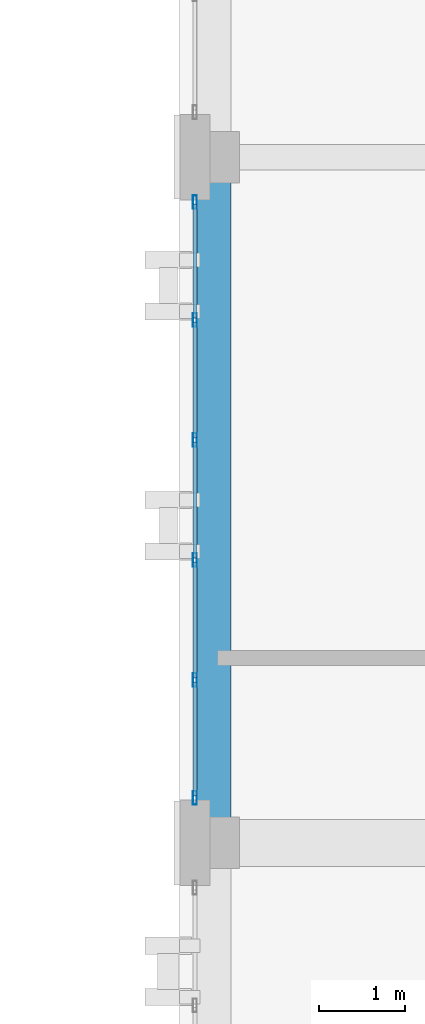
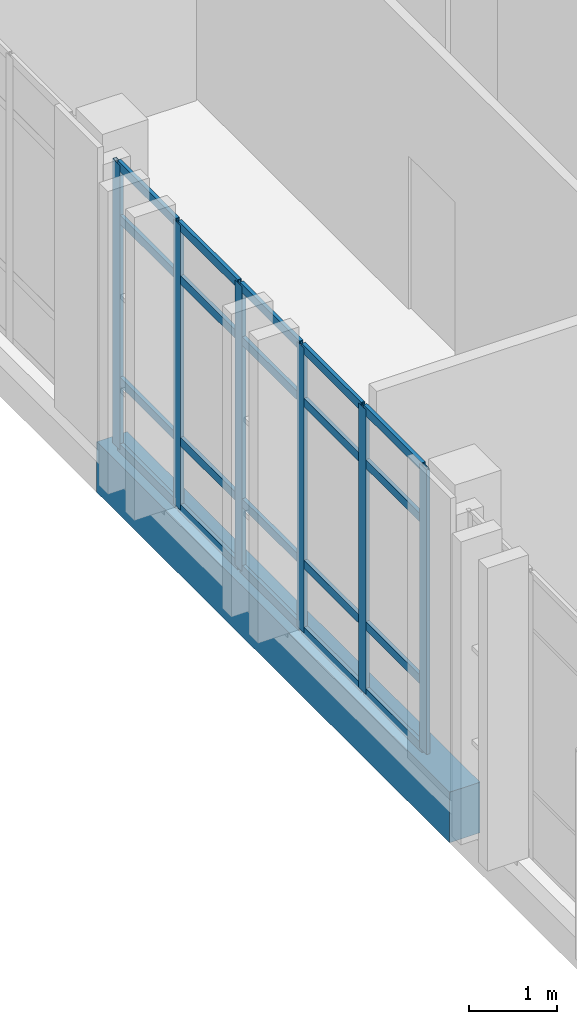
# One storey, part 22 of 48: 26 members, 1 beam, 1 element without a shape of its own.
"""IFC4 building model written with IfcOpenShell, lengths in metres."""

from ifc_helpers import new_model, si_unit, direction, frame, origin, origin_2d, place, context, subcontext, project, spatial, rectangle, hollow_rectangle, extrude, material, layer, layer_set, material_profile, profile_set, type_object, element, aggregate, save


model = new_model("IFC4")

# Units and contexts
model_context = context("Model", 3, precision=1e-05, world=origin(), true_north=direction((0.0, 1.0)))
body_context = subcontext(model_context, "Body", "Model", "MODEL_VIEW")
ifc_project = project(units=[si_unit("LENGTHUNIT", "METRE"), si_unit("AREAUNIT", "SQUARE_METRE"), si_unit("VOLUMEUNIT", "CUBIC_METRE"), si_unit("PLANEANGLEUNIT", "RADIAN"), si_unit("MASSUNIT", "GRAM", prefix="KILO")], contexts=[model_context])

# Site, building, storey
site_placement = place(None, origin())
site = spatial("IfcSite", under=ifc_project, at=site_placement, CompositionType="ELEMENT")
building_placement = place(site_placement, origin())
building = spatial("IfcBuilding", under=site, at=building_placement, Name="Qalavern Law Courts", CompositionType="ELEMENT")
storey_placement = place(building_placement, frame((0.0, 0.0, 31.199951171875)))
storey = spatial("IfcBuildingStorey", under=building, at=storey_placement, Name="L07", CompositionType="ELEMENT", Elevation=31.199951171875)

# Curtain wall, members
ifc_material_1 = material(Name="Anodised aluminium and insulated glazing", Category="aluminium")
ifc_layer = layer(ifc_material_1, 0.159912109375)
ifc_layer_set = layer_set([ifc_layer], Name="Anodised aluminium and insulated glazing")
curtain_wall_type = type_object("IfcCurtainWallType", Name="ENV-CW-CHAMB", PredefinedType="USERDEFINED", material=ifc_layer_set)
curtain_wall_placement = place(storey_placement, origin())
curtain_wall = element("IfcCurtainWall", 1, at=curtain_wall_placement, inside=storey, type_object=curtain_wall_type, Name="V4 unitised curtain wall L07 west 3", ObjectType="UNITISED CURTAIN WALL", PredefinedType="USERDEFINED")
ifc_material_2 = material(Name="Anodised aluminium", Category="aluminium")
ifc_material_profile_1 = material_profile(ifc_material_2, hollow_rectangle(XDim=0.048095703125, YDim=0.159912109375, WallThickness=0.00390625, at=origin_2d()), Name="ALU MULLION 48x160")
ifc_profile_set_1 = profile_set([ifc_material_profile_1], Name="Anodised aluminium")
member_type_1 = type_object("IfcMemberType", Name="ENV-CWM-48x160", PredefinedType="MULLION", material=ifc_profile_set_1)
member_1_placement = place(storey_placement, frame((84.37744140625, 56.8759765625, 0.0), z_axis=(0.0, 0.0, 1.0), x_axis=(1.0, 0.0, 0.0)))
member_1 = element("IfcMember", 2, at=member_1_placement, type_object=member_type_1, Name="CW-04 mullion 1", PredefinedType="MULLION", context=body_context, shape_type="SweptSolid", body=[
    extrude(hollow_rectangle(XDim=0.048095703125, YDim=0.159912109375, WallThickness=0.00390625, at=origin_2d()), origin(), (0.0, 0.0, 1.0), 3.93994140625),
])
member_2_placement = place(storey_placement, frame((84.37744140625, 55.5, 0.0), z_axis=(0.0, 0.0, 1.0), x_axis=(1.0, 0.0, 0.0)))
member_2 = element("IfcMember", 3, at=member_2_placement, type_object=member_type_1, Name="CW-04 mullion 2", PredefinedType="MULLION", context=body_context, shape_type="SweptSolid", body=[
    extrude(hollow_rectangle(XDim=0.048095703125, YDim=0.159912109375, WallThickness=0.00390625, at=origin_2d()), origin(), (0.0, 0.0, 1.0), 3.93994140625),
])
member_3_placement = place(storey_placement, frame((84.37744140625, 54.10009765625, 0.0), z_axis=(0.0, 0.0, 1.0), x_axis=(1.0, 0.0, 0.0)))
member_3 = element("IfcMember", 4, at=member_3_placement, type_object=member_type_1, Name="CW-04 mullion 3", PredefinedType="MULLION", context=body_context, shape_type="SweptSolid", body=[
    extrude(hollow_rectangle(XDim=0.048095703125, YDim=0.159912109375, WallThickness=0.00390625, at=origin_2d()), origin(), (0.0, 0.0, 1.0), 3.93994140625),
])
member_4_placement = place(storey_placement, frame((84.37744140625, 52.699951171875, 0.0), z_axis=(0.0, 0.0, 1.0), x_axis=(1.0, 0.0, 0.0)))
member_4 = element("IfcMember", 5, at=member_4_placement, type_object=member_type_1, Name="CW-04 mullion 4", PredefinedType="MULLION", context=body_context, shape_type="SweptSolid", body=[
    extrude(hollow_rectangle(XDim=0.048095703125, YDim=0.159912109375, WallThickness=0.00390625, at=origin_2d()), origin(), (0.0, 0.0, 1.0), 3.93994140625),
])
member_5_placement = place(storey_placement, frame((84.37744140625, 51.300048828125, 0.0), z_axis=(0.0, 0.0, 1.0), x_axis=(1.0, 0.0, 0.0)))
member_5 = element("IfcMember", 6, at=member_5_placement, type_object=member_type_1, Name="CW-04 mullion 5", PredefinedType="MULLION", context=body_context, shape_type="SweptSolid", body=[
    extrude(hollow_rectangle(XDim=0.048095703125, YDim=0.159912109375, WallThickness=0.00390625, at=origin_2d()), origin(), (0.0, 0.0, 1.0), 3.93994140625),
])
member_6_placement = place(storey_placement, frame((84.37744140625, 49.924072265625, 0.0), z_axis=(0.0, 0.0, 1.0), x_axis=(1.0, 0.0, 0.0)))
member_6 = element("IfcMember", 7, at=member_6_placement, type_object=member_type_1, Name="CW-04 mullion 6", PredefinedType="MULLION", context=body_context, shape_type="SweptSolid", body=[
    extrude(hollow_rectangle(XDim=0.048095703125, YDim=0.159912109375, WallThickness=0.00390625, at=origin_2d()), origin(), (0.0, 0.0, 1.0), 3.93994140625),
])
ifc_material_profile_2 = material_profile(ifc_material_2, hollow_rectangle(XDim=0.048095703125, YDim=0.1201171875, WallThickness=0.00390625, at=origin_2d()), Name="ALU TRANSOM 48x120")
ifc_profile_set_2 = profile_set([ifc_material_profile_2], Name="Anodised aluminium")
member_type_2 = type_object("IfcMemberType", Name="ENV-CWT-48x120", PredefinedType="USERDEFINED", material=ifc_profile_set_2)
member_7_placement = place(storey_placement, frame((84.37744140625, 56.85205078125, 0.024169921875), z_axis=(0.0, -1.0, 0.0), x_axis=(1.0, 0.0, 0.0)))
member_7 = element("IfcMember", 8, at=member_7_placement, type_object=member_type_2, Name="CW-04 transom 1.1", ObjectType="TRANSOM", PredefinedType="USERDEFINED", context=body_context, shape_type="SweptSolid", body=[
    extrude(hollow_rectangle(XDim=0.048095703125, YDim=0.1201171875, WallThickness=0.00390625, at=origin_2d()), origin(), (0.0, 0.0, 1.0), 1.328125),
])
member_8_placement = place(storey_placement, frame((84.37744140625, 56.85205078125, 0.949951171875), z_axis=(0.0, -1.0, 0.0), x_axis=(1.0, 0.0, 0.0)))
member_8 = element("IfcMember", 9, at=member_8_placement, type_object=member_type_2, Name="CW-04 transom 1.2", ObjectType="TRANSOM", PredefinedType="USERDEFINED", context=body_context, shape_type="SweptSolid", body=[
    extrude(hollow_rectangle(XDim=0.048095703125, YDim=0.1201171875, WallThickness=0.00390625, at=origin_2d()), origin(), (0.0, 0.0, 1.0), 1.328125),
])
member_9_placement = place(storey_placement, frame((84.37744140625, 56.85205078125, 3.18994140625), z_axis=(0.0, -1.0, 0.0), x_axis=(1.0, 0.0, 0.0)))
member_9 = element("IfcMember", 10, at=member_9_placement, type_object=member_type_2, Name="CW-04 transom 1.3", ObjectType="TRANSOM", PredefinedType="USERDEFINED", context=body_context, shape_type="SweptSolid", body=[
    extrude(hollow_rectangle(XDim=0.048095703125, YDim=0.1201171875, WallThickness=0.00390625, at=origin_2d()), origin(), (0.0, 0.0, 1.0), 1.328125),
])
member_10_placement = place(storey_placement, frame((84.37744140625, 56.85205078125, 3.916015625), z_axis=(0.0, -1.0, 0.0), x_axis=(1.0, 0.0, 0.0)))
member_10 = element("IfcMember", 11, at=member_10_placement, type_object=member_type_2, Name="CW-04 transom 1.4", ObjectType="TRANSOM", PredefinedType="USERDEFINED", context=body_context, shape_type="SweptSolid", body=[
    extrude(hollow_rectangle(XDim=0.048095703125, YDim=0.1201171875, WallThickness=0.00390625, at=origin_2d()), origin(), (0.0, 0.0, 1.0), 1.328125),
])
member_11_placement = place(storey_placement, frame((84.37744140625, 55.47607421875, 0.024169921875), z_axis=(0.0, -1.0, 0.0), x_axis=(1.0, 0.0, 0.0)))
member_11 = element("IfcMember", 12, at=member_11_placement, type_object=member_type_2, Name="CW-04 transom 2.1", ObjectType="TRANSOM", PredefinedType="USERDEFINED", context=body_context, shape_type="SweptSolid", body=[
    extrude(hollow_rectangle(XDim=0.048095703125, YDim=0.1201171875, WallThickness=0.00390625, at=origin_2d()), origin(), (0.0, 0.0, 1.0), 1.35205078125),
])
member_12_placement = place(storey_placement, frame((84.37744140625, 55.47607421875, 0.949951171875), z_axis=(0.0, -1.0, 0.0), x_axis=(1.0, 0.0, 0.0)))
member_12 = element("IfcMember", 13, at=member_12_placement, type_object=member_type_2, Name="CW-04 transom 2.2", ObjectType="TRANSOM", PredefinedType="USERDEFINED", context=body_context, shape_type="SweptSolid", body=[
    extrude(hollow_rectangle(XDim=0.048095703125, YDim=0.1201171875, WallThickness=0.00390625, at=origin_2d()), origin(), (0.0, 0.0, 1.0), 1.35205078125),
])
member_13_placement = place(storey_placement, frame((84.37744140625, 55.47607421875, 3.18994140625), z_axis=(0.0, -1.0, 0.0), x_axis=(1.0, 0.0, 0.0)))
member_13 = element("IfcMember", 14, at=member_13_placement, type_object=member_type_2, Name="CW-04 transom 2.3", ObjectType="TRANSOM", PredefinedType="USERDEFINED", context=body_context, shape_type="SweptSolid", body=[
    extrude(hollow_rectangle(XDim=0.048095703125, YDim=0.1201171875, WallThickness=0.00390625, at=origin_2d()), origin(), (0.0, 0.0, 1.0), 1.35205078125),
])
member_14_placement = place(storey_placement, frame((84.37744140625, 55.47607421875, 3.916015625), z_axis=(0.0, -1.0, 0.0), x_axis=(1.0, 0.0, 0.0)))
member_14 = element("IfcMember", 15, at=member_14_placement, type_object=member_type_2, Name="CW-04 transom 2.4", ObjectType="TRANSOM", PredefinedType="USERDEFINED", context=body_context, shape_type="SweptSolid", body=[
    extrude(hollow_rectangle(XDim=0.048095703125, YDim=0.1201171875, WallThickness=0.00390625, at=origin_2d()), origin(), (0.0, 0.0, 1.0), 1.35205078125),
])
member_15_placement = place(storey_placement, frame((84.37744140625, 54.075927734375, 0.024169921875), z_axis=(0.0, -1.0, 0.0), x_axis=(1.0, 0.0, 0.0)))
member_15 = element("IfcMember", 16, at=member_15_placement, type_object=member_type_2, Name="CW-04 transom 3.1", ObjectType="TRANSOM", PredefinedType="USERDEFINED", context=body_context, shape_type="SweptSolid", body=[
    extrude(hollow_rectangle(XDim=0.048095703125, YDim=0.1201171875, WallThickness=0.00390625, at=origin_2d()), origin(), (0.0, 0.0, 1.0), 1.351806640625),
])
member_16_placement = place(storey_placement, frame((84.37744140625, 54.075927734375, 0.949951171875), z_axis=(0.0, -1.0, 0.0), x_axis=(1.0, 0.0, 0.0)))
member_16 = element("IfcMember", 17, at=member_16_placement, type_object=member_type_2, Name="CW-04 transom 3.2", ObjectType="TRANSOM", PredefinedType="USERDEFINED", context=body_context, shape_type="SweptSolid", body=[
    extrude(hollow_rectangle(XDim=0.048095703125, YDim=0.1201171875, WallThickness=0.00390625, at=origin_2d()), origin(), (0.0, 0.0, 1.0), 1.351806640625),
])
member_17_placement = place(storey_placement, frame((84.37744140625, 54.075927734375, 3.18994140625), z_axis=(0.0, -1.0, 0.0), x_axis=(1.0, 0.0, 0.0)))
member_17 = element("IfcMember", 18, at=member_17_placement, type_object=member_type_2, Name="CW-04 transom 3.3", ObjectType="TRANSOM", PredefinedType="USERDEFINED", context=body_context, shape_type="SweptSolid", body=[
    extrude(hollow_rectangle(XDim=0.048095703125, YDim=0.1201171875, WallThickness=0.00390625, at=origin_2d()), origin(), (0.0, 0.0, 1.0), 1.351806640625),
])
member_18_placement = place(storey_placement, frame((84.37744140625, 54.075927734375, 3.916015625), z_axis=(0.0, -1.0, 0.0), x_axis=(1.0, 0.0, 0.0)))
member_18 = element("IfcMember", 19, at=member_18_placement, type_object=member_type_2, Name="CW-04 transom 3.4", ObjectType="TRANSOM", PredefinedType="USERDEFINED", context=body_context, shape_type="SweptSolid", body=[
    extrude(hollow_rectangle(XDim=0.048095703125, YDim=0.1201171875, WallThickness=0.00390625, at=origin_2d()), origin(), (0.0, 0.0, 1.0), 1.351806640625),
])
member_19_placement = place(storey_placement, frame((84.37744140625, 52.676025390625, 0.024169921875), z_axis=(0.0, -1.0, 0.0), x_axis=(1.0, 0.0, 0.0)))
member_19 = element("IfcMember", 20, at=member_19_placement, type_object=member_type_2, Name="CW-04 transom 4.1", ObjectType="TRANSOM", PredefinedType="USERDEFINED", context=body_context, shape_type="SweptSolid", body=[
    extrude(hollow_rectangle(XDim=0.048095703125, YDim=0.1201171875, WallThickness=0.00390625, at=origin_2d()), origin(), (0.0, 0.0, 1.0), 1.35205078125),
])
member_20_placement = place(storey_placement, frame((84.37744140625, 52.676025390625, 0.949951171875), z_axis=(0.0, -1.0, 0.0), x_axis=(1.0, 0.0, 0.0)))
member_20 = element("IfcMember", 21, at=member_20_placement, type_object=member_type_2, Name="CW-04 transom 4.2", ObjectType="TRANSOM", PredefinedType="USERDEFINED", context=body_context, shape_type="SweptSolid", body=[
    extrude(hollow_rectangle(XDim=0.048095703125, YDim=0.1201171875, WallThickness=0.00390625, at=origin_2d()), origin(), (0.0, 0.0, 1.0), 1.35205078125),
])
member_21_placement = place(storey_placement, frame((84.37744140625, 52.676025390625, 3.18994140625), z_axis=(0.0, -1.0, 0.0), x_axis=(1.0, 0.0, 0.0)))
member_21 = element("IfcMember", 22, at=member_21_placement, type_object=member_type_2, Name="CW-04 transom 4.3", ObjectType="TRANSOM", PredefinedType="USERDEFINED", context=body_context, shape_type="SweptSolid", body=[
    extrude(hollow_rectangle(XDim=0.048095703125, YDim=0.1201171875, WallThickness=0.00390625, at=origin_2d()), origin(), (0.0, 0.0, 1.0), 1.35205078125),
])
member_22_placement = place(storey_placement, frame((84.37744140625, 52.676025390625, 3.916015625), z_axis=(0.0, -1.0, 0.0), x_axis=(1.0, 0.0, 0.0)))
member_22 = element("IfcMember", 23, at=member_22_placement, type_object=member_type_2, Name="CW-04 transom 4.4", ObjectType="TRANSOM", PredefinedType="USERDEFINED", context=body_context, shape_type="SweptSolid", body=[
    extrude(hollow_rectangle(XDim=0.048095703125, YDim=0.1201171875, WallThickness=0.00390625, at=origin_2d()), origin(), (0.0, 0.0, 1.0), 1.35205078125),
])
member_23_placement = place(storey_placement, frame((84.37744140625, 51.27587890625, 0.024169921875), z_axis=(0.0, -1.0, 0.0), x_axis=(1.0, 0.0, 0.0)))
member_23 = element("IfcMember", 24, at=member_23_placement, type_object=member_type_2, Name="CW-04 transom 5.1", ObjectType="TRANSOM", PredefinedType="USERDEFINED", context=body_context, shape_type="SweptSolid", body=[
    extrude(hollow_rectangle(XDim=0.048095703125, YDim=0.1201171875, WallThickness=0.00390625, at=origin_2d()), origin(), (0.0, 0.0, 1.0), 1.327880859375),
])
member_24_placement = place(storey_placement, frame((84.37744140625, 51.27587890625, 0.949951171875), z_axis=(0.0, -1.0, 0.0), x_axis=(1.0, 0.0, 0.0)))
member_24 = element("IfcMember", 25, at=member_24_placement, type_object=member_type_2, Name="CW-04 transom 5.2", ObjectType="TRANSOM", PredefinedType="USERDEFINED", context=body_context, shape_type="SweptSolid", body=[
    extrude(hollow_rectangle(XDim=0.048095703125, YDim=0.1201171875, WallThickness=0.00390625, at=origin_2d()), origin(), (0.0, 0.0, 1.0), 1.327880859375),
])
member_25_placement = place(storey_placement, frame((84.37744140625, 51.27587890625, 3.18994140625), z_axis=(0.0, -1.0, 0.0), x_axis=(1.0, 0.0, 0.0)))
member_25 = element("IfcMember", 26, at=member_25_placement, type_object=member_type_2, Name="CW-04 transom 5.3", ObjectType="TRANSOM", PredefinedType="USERDEFINED", context=body_context, shape_type="SweptSolid", body=[
    extrude(hollow_rectangle(XDim=0.048095703125, YDim=0.1201171875, WallThickness=0.00390625, at=origin_2d()), origin(), (0.0, 0.0, 1.0), 1.327880859375),
])
member_26_placement = place(storey_placement, frame((84.37744140625, 51.27587890625, 3.916015625), z_axis=(0.0, -1.0, 0.0), x_axis=(1.0, 0.0, 0.0)))
member_26 = element("IfcMember", 27, at=member_26_placement, type_object=member_type_2, Name="CW-04 transom 5.4", ObjectType="TRANSOM", PredefinedType="USERDEFINED", context=body_context, shape_type="SweptSolid", body=[
    extrude(hollow_rectangle(XDim=0.048095703125, YDim=0.1201171875, WallThickness=0.00390625, at=origin_2d()), origin(), (0.0, 0.0, 1.0), 1.327880859375),
])
aggregate(curtain_wall, [member_1, member_2, member_3, member_4, member_5, member_6, member_7, member_8, member_9, member_10, member_11, member_12, member_13, member_14, member_15, member_16, member_17, member_18, member_19, member_20, member_21, member_22, member_23, member_24, member_25, member_26])

# Beam
ifc_material_3 = material(Name="Concrete C40/50", Category="concrete")
ifc_material_profile_3 = material_profile(ifc_material_3, rectangle(XDim=0.39990234375, YDim=0.699951171875, at=origin_2d()), Name="RC 400x700")
ifc_profile_set_3 = profile_set([ifc_material_profile_3], Name="Concrete C40/50")
beam_type = type_object("IfcBeamType", Name="STR-SP-RC400x700", PredefinedType="SPANDREL", material=ifc_profile_set_3)
beam_placement = place(storey_placement, frame((84.60009765625, 49.39990234375, -0.614990234375), z_axis=(0.0, 1.0, 0.0), x_axis=(-1.0, 0.0, 0.0)))
element("IfcBeam", 28, at=beam_placement, inside=storey, type_object=beam_type, Name="V4 Y-beam 1-2 L07", PredefinedType="SPANDREL", context=body_context, shape_type="SweptSolid", body=[
    extrude(rectangle(XDim=0.39990234375, YDim=0.699951171875, at=origin_2d()), origin(), (0.0, 0.0, 1.0), 8.0),
])

save(model, "model.ifc")
